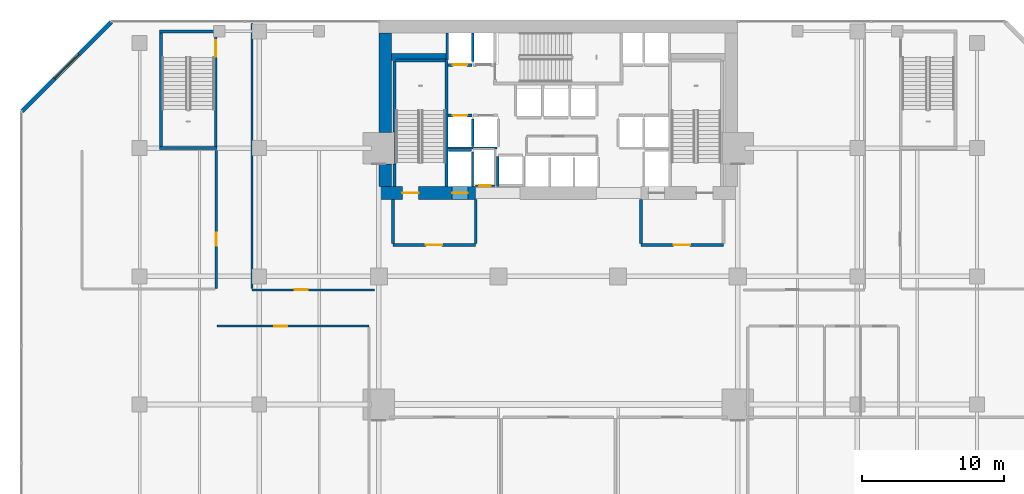
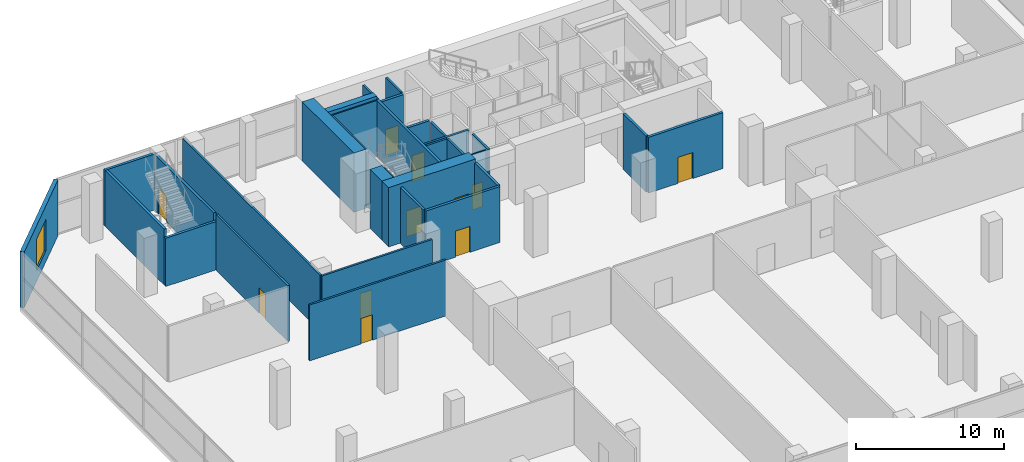
# One storey, part 35 of 39: 33 walls, 11 doors, 1 window, 12 openings.
"""IFC4 building model written with IfcOpenShell, lengths in metres."""

from ifc_helpers import new_model, si_unit, direction, frame, frame_2d, origin, place, context, subcontext, project, spatial, rectangle, extrude, material, layer, layer_set, type_object, element, fill, save


model = new_model("IFC4")

# Units and contexts
model_context = context("Model", 3, precision=1e-05, world=origin(), true_north=direction((0.0, 1.0)))
body_context = subcontext(model_context, "Body", "Model", "MODEL_VIEW")
ifc_project = project(units=[si_unit("LENGTHUNIT", "METRE"), si_unit("AREAUNIT", "SQUARE_METRE"), si_unit("VOLUMEUNIT", "CUBIC_METRE"), si_unit("PLANEANGLEUNIT", "RADIAN"), si_unit("MASSUNIT", "GRAM", prefix="KILO")], contexts=[model_context])

# Site, building, storey
site_placement = place(None, origin())
site = spatial("IfcSite", under=ifc_project, at=site_placement, CompositionType="ELEMENT")
building_placement = place(site_placement, origin())
building = spatial("IfcBuilding", under=site, at=building_placement, Name="Maruvema Waterfront Hotel and Observation Tower", CompositionType="ELEMENT")
storey_placement = place(building_placement, frame((0.0, 0.0, 16.449951171875)))
storey = spatial("IfcBuildingStorey", under=building, at=storey_placement, Name="L03", CompositionType="ELEMENT", Elevation=16.449951171875)

# Wall, opening, door
ifc_material_1 = material(Name="Twin-stud acoustic gypsum drywall", Category="gypsum")
ifc_layer_1 = layer(ifc_material_1, 0.14990234375, Name="Acoustic Corridor and Suite Demising Wall 150 mm")
ifc_layer_set_1 = layer_set([ifc_layer_1], Name="Twin-stud acoustic gypsum drywall")
wall_type_1 = type_object("IfcWallType", Name="Acoustic Corridor and Suite Demising Wall 150 mm", PredefinedType="PARTITIONING", material=ifc_layer_set_1)
wall_1_placement = place(storey_placement, frame((13.85009765625, 32.5, 0.0), z_axis=(0.0, 0.0, 1.0), x_axis=(1.0, 0.0, 0.0)))
wall_1 = element("IfcWall", 1, at=wall_1_placement, inside=storey, type_object=wall_type_1, Name="L03 L03 Boardroom North Wall 019", PredefinedType="PARTITIONING", context=body_context, shape_type="SweptSolid", body=[
    extrude(rectangle(XDim=10.64990234375, YDim=0.14990234375, at=frame_2d((5.324951171875, 0.0))), origin(), (0.0, 0.0, 1.0), 4.6201171875),
])
opening_1_placement = place(wall_1_placement, frame((4.0, 0.0, 0.0)))
opening_1 = element("IfcOpeningElement", 2, at=opening_1_placement, cuts=wall_1, Name="Opening DR-090", PredefinedType="OPENING", context=body_context, shape_type="SweptSolid", body=[
    extrude(rectangle(XDim=0.89990234375, YDim=2.10009765625, at=frame_2d((0.449951171875, 1.050048828125))), frame((0.0, 0.0849609375, 0.0), z_axis=(0.0, -1.0, 0.0), x_axis=(1.0, 0.0, 0.0)), (0.0, 0.0, 1.0), 0.169921875),
])
ifc_material_2 = material(Name="Solid-core lacquered timber leaf", Category="wood")
door_type_1 = type_object("IfcDoorType", Name="Accessible Toilet and Room Door 900x2100 mm", OperationType="NOTDEFINED", PredefinedType="DOOR", material=ifc_material_2)
door_1_placement = place(opening_1_placement, origin())
door_1 = element("IfcDoor", 3, at=door_1_placement, inside=storey, type_object=door_type_1, Name="L03 Boardroom Door", OperationType="SINGLE_SWING_RIGHT", OverallHeight=2.10009765625, OverallWidth=0.89990234375, PredefinedType="DOOR", context=body_context, shape_type="SweptSolid", body=[
    extrude(rectangle(XDim=0.89990234375, YDim=2.10009765625, at=frame_2d((0.449951171875, 1.050048828125))), frame((0.0, 0.02490234375, 0.0), z_axis=(0.0, -1.0, 0.0), x_axis=(1.0, 0.0, 0.0)), (0.0, 0.0, 1.0), 0.050048828125),
])
fill(opening_1, door_1)

wall_2_placement = place(storey_placement, frame((16.300048828125, 35.050048828125, 0.0), z_axis=(0.0, 0.0, 1.0), x_axis=(1.0, 0.0, 0.0)))
wall_2 = element("IfcWall", 4, at=wall_2_placement, inside=storey, type_object=wall_type_1, Name="L03 L03 Exec Office Wall 022", PredefinedType="PARTITIONING", context=body_context, shape_type="SweptSolid", body=[
    extrude(rectangle(XDim=8.599853515625, YDim=0.14990234375, at=frame_2d((4.2998046875, 0.0))), origin(), (0.0, 0.0, 1.0), 4.6201171875),
])
opening_2_placement = place(wall_2_placement, frame((3.0, 0.0, 0.0)))
opening_2 = element("IfcOpeningElement", 5, at=opening_2_placement, cuts=wall_2, Name="Opening DR-090", PredefinedType="OPENING", context=body_context, shape_type="SweptSolid", body=[
    extrude(rectangle(XDim=0.89990234375, YDim=2.10009765625, at=frame_2d((0.449951171875, 1.050048828125))), frame((0.0, 0.0849609375, 0.0), z_axis=(0.0, -1.0, 0.0), x_axis=(1.0, 0.0, 0.0)), (0.0, 0.0, 1.0), 0.169921875),
])
door_2_placement = place(opening_2_placement, frame((0.89990234375, 0.0, 0.0), z_axis=(0.0, 0.0, 1.0), x_axis=(-1.0, 0.0, 0.0)))
door_2 = element("IfcDoor", 6, at=door_2_placement, inside=storey, type_object=door_type_1, Name="L03 Executive Office Door", OperationType="SINGLE_SWING_LEFT", OverallHeight=2.10009765625, OverallWidth=0.89990234375, PredefinedType="DOOR", context=body_context, shape_type="SweptSolid", body=[
    extrude(rectangle(XDim=0.89990234375, YDim=2.10009765625, at=frame_2d((0.449951171875, 1.050048828125))), frame((0.0, 0.02490234375, 0.0), z_axis=(0.0, -1.0, 0.0), x_axis=(1.0, 0.0, 0.0)), (0.0, 0.0, 1.0), 0.050048828125),
])
fill(opening_2, door_2)

# Wall
wall_3_placement = place(storey_placement, frame((16.300048828125, 35.14990234375, 0.0), z_axis=(0.0, 0.0, 1.0), x_axis=(0.0, 1.0, 0.0)))
element("IfcWall", 7, at=wall_3_placement, inside=storey, type_object=wall_type_1, Name="L03 L03 Exec West Wall 023", PredefinedType="PARTITIONING", context=body_context, shape_type="SweptSolid", body=[
    extrude(rectangle(XDim=18.60009765625, YDim=0.14990234375, at=frame_2d((9.300048828125, 0.0))), origin(), (0.0, 0.0, 1.0), 4.6201171875),
])

# Wall, opening, door
wall_4_placement = place(storey_placement, frame((13.780029296875, 35.14990234375, 0.0), z_axis=(0.0, 0.0, 1.0), x_axis=(0.0, 1.0, 0.0)))
wall_4 = element("IfcWall", 8, at=wall_4_placement, inside=storey, type_object=wall_type_1, Name="L03 L03 Catering Store Wall 024", PredefinedType="PARTITIONING", context=body_context, shape_type="SweptSolid", body=[
    extrude(rectangle(XDim=9.7001953125, YDim=0.14990234375, at=frame_2d((4.85009765625, 0.0))), origin(), (0.0, 0.0, 1.0), 4.6201171875),
])
opening_3_placement = place(wall_4_placement, frame((3.0, 0.0, 0.0)))
opening_3 = element("IfcOpeningElement", 9, at=opening_3_placement, cuts=wall_4, Name="Opening DR-090", PredefinedType="OPENING", context=body_context, shape_type="SweptSolid", body=[
    extrude(rectangle(XDim=0.89990234375, YDim=2.10009765625, at=frame_2d((0.449951171875, 1.050048828125))), frame((0.0, 0.0849609375, 0.0), z_axis=(0.0, -1.0, 0.0), x_axis=(1.0, 0.0, 0.0)), (0.0, 0.0, 1.0), 0.169921875),
])
door_3_placement = place(opening_3_placement, origin())
door_3 = element("IfcDoor", 10, at=door_3_placement, inside=storey, type_object=door_type_1, Name="L03 Catering Store Door", OperationType="SINGLE_SWING_RIGHT", OverallHeight=2.10009765625, OverallWidth=0.89990234375, PredefinedType="DOOR", context=body_context, shape_type="SweptSolid", body=[
    extrude(rectangle(XDim=0.89990234375, YDim=2.10009765625, at=frame_2d((0.449951171875, 1.050048828125))), frame((0.0, 0.02490234375, 0.0), z_axis=(0.0, -1.0, 0.0), x_axis=(1.0, 0.0, 0.0)), (0.0, 0.0, 1.0), 0.050048828125),
])
fill(opening_3, door_3)

# Walls
ifc_material_3 = material(Name="Precast concrete C45/55", Category="concrete")
ifc_layer_2 = layer(ifc_material_3, 0.199951171875, Name="Core Shaft and Stairwell Enclosure Wall 200 mm")
ifc_layer_set_2 = layer_set([ifc_layer_2], Name="Precast concrete C45/55")
wall_type_2 = type_object("IfcWallType", Name="Core Shaft and Stairwell Enclosure Wall 200 mm", PredefinedType="SOLIDWALL", material=ifc_layer_set_2)
wall_5_placement = place(storey_placement, frame((29.949951171875, 42.300048828125, 0.0), z_axis=(0.0, 0.0, 1.0), x_axis=(0.0, 1.0, 0.0)))
element("IfcWall", 11, at=wall_5_placement, inside=storey, type_object=wall_type_2, Name="L03 Stairwell ST-01 East Shaft Wall", PredefinedType="SOLIDWALL", context=body_context, shape_type="SweptSolid", body=[
    extrude(rectangle(XDim=8.849853515625, YDim=0.199951171875, at=frame_2d((4.4248046875, 0.0))), origin(), (0.0, 0.0, 1.0), 4.6201171875),
])
wall_6_placement = place(storey_placement, frame((26.300048828125, 42.300048828125, 0.0), z_axis=(0.0, 0.0, 1.0), x_axis=(0.0, 1.0, 0.0)))
element("IfcWall", 12, at=wall_6_placement, inside=storey, type_object=wall_type_2, Name="L03 Stairwell ST-01 Shaft Lining Wall", PredefinedType="SOLIDWALL", context=body_context, shape_type="SweptSolid", body=[
    extrude(rectangle(XDim=1.579833984375, YDim=0.199951171875, at=frame_2d((0.7900390625, 0.0))), origin(), (0.0, 0.0, 1.0), 4.6201171875),
])
wall_7_placement = place(storey_placement, frame((26.300048828125, 46.1201171875, 0.0), z_axis=(0.0, 0.0, 1.0), x_axis=(0.0, 1.0, 0.0)))
element("IfcWall", 13, at=wall_7_placement, inside=storey, type_object=wall_type_2, Name="L03 Stairwell ST-01 Shaft Lining Wall", PredefinedType="SOLIDWALL", context=body_context, shape_type="SweptSolid", body=[
    extrude(rectangle(XDim=5.0, YDim=0.199951171875, at=frame_2d((2.5, 0.0))), origin(), (0.0, 0.0, 1.0), 4.6201171875),
])
wall_8_placement = place(storey_placement, frame((26.3798828125, 51.14990234375, 0.0), z_axis=(0.0, 0.0, 1.0), x_axis=(1.0, 0.0, 0.0)))
element("IfcWall", 14, at=wall_8_placement, inside=storey, type_object=wall_type_2, Name="L03 Stairwell ST-01 Shaft Lining Wall", PredefinedType="SOLIDWALL", context=body_context, shape_type="SweptSolid", body=[
    extrude(rectangle(XDim=3.5, YDim=0.199951171875, at=frame_2d((1.75, 0.0))), origin(), (0.0, 0.0, 1.0), 4.6201171875),
])
wall_9_placement = place(storey_placement, frame((9.800048828125, 45.0, 0.0), z_axis=(0.0, 0.0, 1.0), x_axis=(1.0, 0.0, 0.0)))
element("IfcWall", 15, at=wall_9_placement, inside=storey, type_object=wall_type_2, Name="L03 Stairwell ST-04 Shaft Wall", PredefinedType="SOLIDWALL", context=body_context, shape_type="SweptSolid", body=[
    extrude(rectangle(XDim=4.050048828125, YDim=0.199951171875, at=frame_2d((2.02490234375, 0.0))), origin(), (0.0, 0.0, 1.0), 3.985107421875),
])
wall_10_placement = place(storey_placement, frame((9.89990234375, 45.10009765625, 0.0), z_axis=(0.0, 0.0, 1.0), x_axis=(0.0, 1.0, 0.0)))
element("IfcWall", 16, at=wall_10_placement, inside=storey, type_object=wall_type_2, Name="L03 Stairwell ST-04 Shaft Wall", PredefinedType="SOLIDWALL", context=body_context, shape_type="SweptSolid", body=[
    extrude(rectangle(XDim=8.099853515625, YDim=0.199951171875, at=frame_2d((4.0498046875, 0.0))), origin(), (0.0, 0.0, 1.0), 4.6201171875),
])

# Wall, opening, door
wall_11_placement = place(storey_placement, frame((13.75, 45.10009765625, 0.0), z_axis=(0.0, 0.0, 1.0), x_axis=(0.0, 1.0, 0.0)))
wall_11 = element("IfcWall", 17, at=wall_11_placement, inside=storey, type_object=wall_type_2, Name="L03 Stairwell ST-04 Shaft Wall", PredefinedType="SOLIDWALL", context=body_context, shape_type="SweptSolid", body=[
    extrude(rectangle(XDim=8.099853515625, YDim=0.199951171875, at=frame_2d((4.0498046875, 0.0))), origin(), (0.0, 0.0, 1.0), 4.6201171875),
])
opening_4_placement = place(wall_11_placement, frame((6.320068359375, 0.0, 0.0)))
opening_4 = element("IfcOpeningElement", 18, at=opening_4_placement, cuts=wall_11, Name="Opening SD-01", PredefinedType="OPENING", context=body_context, shape_type="SweptSolid", body=[
    extrude(rectangle(XDim=1.14990234375, YDim=2.14990234375, at=frame_2d((0.574951171875, 1.074951171875))), frame((0.0, 0.10986328125, 0.0), z_axis=(0.0, -1.0, 0.0), x_axis=(1.0, 0.0, 0.0)), (0.0, 0.0, 1.0), 0.219970703125),
])
ifc_material_4 = material(Name="Fire-rated galvanised steel leaf", Category="steel")
door_type_2 = type_object("IfcDoorType", Name="Exit Stair Fire Door 1150x2150 mm", OperationType="NOTDEFINED", PredefinedType="DOOR", material=ifc_material_4)
door_4_placement = place(opening_4_placement, origin())
door_4 = element("IfcDoor", 19, at=door_4_placement, inside=storey, type_object=door_type_2, Name="L03 Exit Stair ST-04 Fire Door", OperationType="SINGLE_SWING_RIGHT", OverallHeight=2.14990234375, OverallWidth=1.14990234375, PredefinedType="DOOR", context=body_context, shape_type="SweptSolid", body=[
    extrude(rectangle(XDim=1.14990234375, YDim=2.14990234375, at=frame_2d((0.574951171875, 1.074951171875))), frame((0.0, 0.02490234375, 0.0), z_axis=(0.0, -1.0, 0.0), x_axis=(1.0, 0.0, 0.0)), (0.0, 0.0, 1.0), 0.050048828125),
])
fill(opening_4, door_4)

# Wall
wall_12_placement = place(storey_placement, frame((9.800048828125, 53.199951171875, 0.0), z_axis=(0.0, 0.0, 1.0), x_axis=(1.0, 0.0, 0.0)))
element("IfcWall", 20, at=wall_12_placement, inside=storey, type_object=wall_type_2, Name="L03 Stairwell ST-04 Shaft Wall", PredefinedType="SOLIDWALL", context=body_context, shape_type="SweptSolid", body=[
    extrude(rectangle(XDim=4.050048828125, YDim=0.199951171875, at=frame_2d((2.02490234375, 0.0))), origin(), (0.0, 0.0, 1.0), 4.6201171875),
])

# Wall, opening, door
wall_13_placement = place(storey_placement, frame((30.06005859375, 47.300048828125, 0.0), z_axis=(0.0, 0.0, 1.0), x_axis=(1.0, 0.0, 0.0)))
wall_13 = element("IfcWall", 21, at=wall_13_placement, inside=storey, type_object=wall_type_2, Name="L03 Lift LF-01 Hoistway Front Wall", PredefinedType="SOLIDWALL", context=body_context, shape_type="SweptSolid", body=[
    extrude(rectangle(XDim=1.679931640625, YDim=0.199951171875, at=frame_2d((0.83984375, 0.0))), origin(), (0.0, 0.0, 1.0), 4.6201171875),
])
opening_5_placement = place(wall_13_placement, frame((0.340087890625, 0.0, 0.0)))
opening_5 = element("IfcOpeningElement", 22, at=opening_5_placement, cuts=wall_13, Name="Opening LD-01", PredefinedType="OPENING", context=body_context, shape_type="SweptSolid", body=[
    extrude(rectangle(XDim=1.0, YDim=2.14990234375, at=frame_2d((0.5, 1.074951171875))), frame((0.0, 0.10986328125, 0.0), z_axis=(0.0, -1.0, 0.0), x_axis=(1.0, 0.0, 0.0)), (0.0, 0.0, 1.0), 0.219970703125),
])
ifc_material_5 = material(Name="Brushed stainless steel Grade 316", Category="steel")
door_type_3 = type_object("IfcDoorType", Name="Passenger Lift Sliding Landing Door 1000x2150 mm", OperationType="SLIDING_TO_LEFT", PredefinedType="DOOR", material=ifc_material_5)
door_5_placement = place(opening_5_placement, origin())
door_5 = element("IfcDoor", 23, at=door_5_placement, inside=storey, type_object=door_type_3, Name="L03 Lift LF-01 Sliding Landing Door", OperationType="SLIDING_TO_LEFT", OverallHeight=2.14990234375, OverallWidth=1.0, PredefinedType="DOOR", context=body_context, shape_type="SweptSolid", body=[
    extrude(rectangle(XDim=1.0, YDim=2.14990234375, at=frame_2d((0.5, 1.074951171875))), frame((0.0, 0.02490234375, 0.0), z_axis=(0.0, -1.0, 0.0), x_axis=(1.0, 0.0, 0.0)), (0.0, 0.0, 1.0), 0.050048828125),
])
fill(opening_5, door_5)

wall_14_placement = place(storey_placement, frame((30.06005859375, 50.85009765625, 0.0), z_axis=(0.0, 0.0, 1.0), x_axis=(1.0, 0.0, 0.0)))
wall_14 = element("IfcWall", 24, at=wall_14_placement, inside=storey, type_object=wall_type_2, Name="L03 Lift LF-03 Hoistway Front Wall", PredefinedType="SOLIDWALL", context=body_context, shape_type="SweptSolid", body=[
    extrude(rectangle(XDim=1.679931640625, YDim=0.199951171875, at=frame_2d((0.83984375, 0.0))), origin(), (0.0, 0.0, 1.0), 4.6201171875),
])
opening_6_placement = place(wall_14_placement, frame((0.340087890625, 0.0, 0.0)))
opening_6 = element("IfcOpeningElement", 25, at=opening_6_placement, cuts=wall_14, Name="Opening LD-01", PredefinedType="OPENING", context=body_context, shape_type="SweptSolid", body=[
    extrude(rectangle(XDim=1.0, YDim=2.14990234375, at=frame_2d((0.5, 1.074951171875))), frame((0.0, 0.10986328125, 0.0), z_axis=(0.0, -1.0, 0.0), x_axis=(1.0, 0.0, 0.0)), (0.0, 0.0, 1.0), 0.219970703125),
])
door_6_placement = place(opening_6_placement, frame((1.0, 0.0, 0.0), z_axis=(0.0, 0.0, 1.0), x_axis=(-1.0, 0.0, 0.0)))
door_6 = element("IfcDoor", 26, at=door_6_placement, inside=storey, type_object=door_type_3, Name="L03 Lift LF-03 Sliding Landing Door", OperationType="SLIDING_TO_LEFT", OverallHeight=2.14990234375, OverallWidth=1.0, PredefinedType="DOOR", context=body_context, shape_type="SweptSolid", body=[
    extrude(rectangle(XDim=1.0, YDim=2.14990234375, at=frame_2d((0.5, 1.074951171875))), frame((0.0, 0.02490234375, 0.0), z_axis=(0.0, -1.0, 0.0), x_axis=(1.0, 0.0, 0.0)), (0.0, 0.0, 1.0), 0.050048828125),
])
fill(opening_6, door_6)

# Wall
ifc_material_6 = material(Name="Concrete C70/85", Category="concrete")
ifc_layer_3 = layer(ifc_material_6, 0.5, Name="Core Shear Wall 500 mm")
ifc_layer_set_3 = layer_set([ifc_layer_3], Name="Concrete C70/85")
wall_type_3 = type_object("IfcWallType", Name="Core Shear Wall 500 mm", PredefinedType="SHEAR", material=ifc_layer_set_3)
wall_15_placement = place(storey_placement, frame((26.10009765625, 51.39990234375, 0.0), z_axis=(0.0, 0.0, 1.0), x_axis=(1.0, 0.0, 0.0)))
element("IfcWall", 27, at=wall_15_placement, inside=storey, type_object=wall_type_3, Name="L03 Internal Core Shear Wall NW 500 mm", PredefinedType="SHEAR", context=body_context, shape_type="SweptSolid", body=[
    extrude(rectangle(XDim=3.7998046875, YDim=0.5, at=frame_2d((1.89990234375, 0.0))), origin(), (0.0, 0.0, 1.0), 4.900146484375),
])

# Wall, openings, doors
ifc_material_7 = material(Name="Concrete C80/95", Category="concrete")
ifc_layer_4 = layer(ifc_material_7, 0.89990234375, Name="Core Shear Wall 900 mm")
ifc_layer_set_4 = layer_set([ifc_layer_4], Name="Concrete C80/95")
wall_type_4 = type_object("IfcWallType", Name="Core Shear Wall 900 mm", PredefinedType="SHEAR", material=ifc_layer_set_4)
wall_16_placement = place(storey_placement, frame((25.199951171875, 41.85009765625, 0.0), z_axis=(0.0, 0.0, 1.0), x_axis=(1.0, 0.0, 0.0)))
wall_16 = element("IfcWall", 28, at=wall_16_placement, inside=storey, type_object=wall_type_4, Name="L03 South-West Core Shear Wall", PredefinedType="SHEAR", context=body_context, shape_type="SweptSolid", body=[
    extrude(rectangle(XDim=6.800048828125, YDim=0.89990234375, at=frame_2d((3.39990234375, 0.0))), origin(), (0.0, 0.0, 1.0), 4.900146484375),
])
opening_7_placement = place(wall_16_placement, frame((1.64990234375, 0.0, 0.0)))
opening_7 = element("IfcOpeningElement", 29, at=opening_7_placement, cuts=wall_16, Name="Opening SD-01", PredefinedType="OPENING", context=body_context, shape_type="SweptSolid", body=[
    extrude(rectangle(XDim=1.14990234375, YDim=2.14990234375, at=frame_2d((0.574951171875, 1.074951171875))), frame((0.0, 0.4599609375, 0.0), z_axis=(0.0, -1.0, 0.0), x_axis=(1.0, 0.0, 0.0)), (0.0, 0.0, 1.0), 0.919921875),
])
opening_8_placement = place(wall_16_placement, frame((5.14990234375, 0.0, 0.0)))
opening_8 = element("IfcOpeningElement", 30, at=opening_8_placement, cuts=wall_16, Name="Opening LD-03", PredefinedType="OPENING", context=body_context, shape_type="SweptSolid", body=[
    extrude(rectangle(XDim=1.10009765625, YDim=2.199951171875, at=frame_2d((0.550048828125, 1.10009765625))), frame((0.0, 0.4599609375, 0.0), z_axis=(0.0, -1.0, 0.0), x_axis=(1.0, 0.0, 0.0)), (0.0, 0.0, 1.0), 0.919921875),
])
door_7_placement = place(opening_7_placement, origin())
door_7 = element("IfcDoor", 31, at=door_7_placement, inside=storey, type_object=door_type_2, Name="L03 Exit Stair ST-01 Fire Door", OperationType="SINGLE_SWING_LEFT", OverallHeight=2.14990234375, OverallWidth=1.14990234375, PredefinedType="DOOR", context=body_context, shape_type="SweptSolid", body=[
    extrude(rectangle(XDim=1.14990234375, YDim=2.14990234375, at=frame_2d((0.574951171875, 1.074951171875))), frame((0.0, 0.02490234375, 0.0), z_axis=(0.0, -1.0, 0.0), x_axis=(1.0, 0.0, 0.0)), (0.0, 0.0, 1.0), 0.050048828125),
])
fill(opening_7, door_7)
ifc_material_8 = material(Name="Brushed stainless steel Grade 316", Category="steel")
door_type_4 = type_object("IfcDoorType", Name="Firefighting Lift Sliding Landing Door 1100x2200 mm", OperationType="SLIDING_TO_LEFT", PredefinedType="DOOR", material=ifc_material_8)
door_8_placement = place(opening_8_placement, frame((1.10009765625, 0.0, 0.0), z_axis=(0.0, 0.0, 1.0), x_axis=(-1.0, 0.0, 0.0)))
door_8 = element("IfcDoor", 32, at=door_8_placement, inside=storey, type_object=door_type_4, Name="L03 Firefighting Lift FL-01 Landing Door", OperationType="SLIDING_TO_LEFT", OverallHeight=2.199951171875, OverallWidth=1.10009765625, PredefinedType="DOOR", context=body_context, shape_type="SweptSolid", body=[
    extrude(rectangle(XDim=1.10009765625, YDim=2.199951171875, at=frame_2d((0.550048828125, 1.10009765625))), frame((0.0, 0.02490234375, 0.0), z_axis=(0.0, -1.0, 0.0), x_axis=(1.0, 0.0, 0.0)), (0.0, 0.0, 1.0), 0.050048828125),
])
fill(opening_8, door_8)

# Walls
wall_17_placement = place(storey_placement, frame((25.64990234375, 42.300048828125, 0.0), z_axis=(0.0, 0.0, 1.0), x_axis=(0.0, 1.0, 0.0)))
element("IfcWall", 33, at=wall_17_placement, inside=storey, type_object=wall_type_4, Name="L03 West-South Core Shear Wall", PredefinedType="SHEAR", context=body_context, shape_type="SweptSolid", body=[
    extrude(rectangle(XDim=1.599853515625, YDim=0.89990234375, at=frame_2d((0.7998046875, 0.0))), origin(), (0.0, 0.0, 1.0), 4.900146484375),
])
wall_18_placement = place(storey_placement, frame((25.64990234375, 46.10009765625, 0.0), z_axis=(0.0, 0.0, 1.0), x_axis=(0.0, 1.0, 0.0)))
element("IfcWall", 34, at=wall_18_placement, inside=storey, type_object=wall_type_4, Name="L03 West-North Core Shear Wall", PredefinedType="SHEAR", context=body_context, shape_type="SweptSolid", body=[
    extrude(rectangle(XDim=7.0, YDim=0.89990234375, at=frame_2d((3.5, 0.0))), origin(), (0.0, 0.0, 1.0), 4.900146484375),
])

# Wall, opening, door
ifc_material_9 = material(Name="Moisture-resistant cement-board drywall", Category="gypsum")
ifc_layer_5 = layer(ifc_material_9, 0.10009765625, Name="En-Suite Moisture-Resistant Partition 100 mm")
ifc_layer_set_5 = layer_set([ifc_layer_5], Name="Moisture-resistant cement-board drywall")
wall_type_5 = type_object("IfcWallType", Name="En-Suite Moisture-Resistant Partition 100 mm", PredefinedType="PARTITIONING", material=ifc_layer_set_5)
wall_19_placement = place(storey_placement, frame((32.02001953125, 42.360107421875, 0.0), z_axis=(0.0, 0.0, 1.0), x_axis=(1.0, 0.0, 0.0)))
wall_19 = element("IfcWall", 35, at=wall_19_placement, inside=storey, type_object=wall_type_5, Name="L03 Telecom Riser South Wall 007", PredefinedType="PARTITIONING", context=body_context, shape_type="SweptSolid", body=[
    extrude(rectangle(XDim=1.320068359375, YDim=0.10009765625, at=frame_2d((0.66015625, 0.0))), origin(), (0.0, 0.0, 1.0), 4.6201171875),
])
opening_9_placement = place(wall_19_placement, frame((0.239990234375, 0.0, 0.0)))
opening_9 = element("IfcOpeningElement", 36, at=opening_9_placement, cuts=wall_19, Name="Opening DR-080", PredefinedType="OPENING", context=body_context, shape_type="SweptSolid", body=[
    extrude(rectangle(XDim=0.800048828125, YDim=2.050048828125, at=frame_2d((0.39990234375, 1.02490234375))), frame((0.0, 0.06005859375, 0.0), z_axis=(0.0, -1.0, 0.0), x_axis=(1.0, 0.0, 0.0)), (0.0, 0.0, 1.0), 0.1201171875),
])
ifc_material_10 = material(Name="Powder-coated steel access leaf", Category="steel")
door_type_5 = type_object("IfcDoorType", Name="Riser and Service Cupboard Door 800x2050 mm", OperationType="NOTDEFINED", PredefinedType="DOOR", material=ifc_material_10)
door_9_placement = place(opening_9_placement, frame((0.800048828125, 0.0, 0.0), z_axis=(0.0, 0.0, 1.0), x_axis=(-1.0, 0.0, 0.0)))
door_9 = element("IfcDoor", 37, at=door_9_placement, inside=storey, type_object=door_type_5, Name="L03 Telecom Riser Door", OperationType="SINGLE_SWING_RIGHT", OverallHeight=2.050048828125, OverallWidth=0.800048828125, PredefinedType="DOOR", context=body_context, shape_type="SweptSolid", body=[
    extrude(rectangle(XDim=0.800048828125, YDim=2.050048828125, at=frame_2d((0.39990234375, 1.02490234375))), frame((0.0, 0.02490234375, 0.0), z_axis=(0.0, -1.0, 0.0), x_axis=(1.0, 0.0, 0.0)), (0.0, 0.0, 1.0), 0.050048828125),
])
fill(opening_9, door_9)

ifc_material_11 = material(Name="Autoclaved cellular concrete blockwork", Category="masonry")
ifc_layer_6 = layer(ifc_material_11, 0.199951171875, Name="Fire Compartment Masonry Wall 200 mm")
ifc_layer_set_6 = layer_set([ifc_layer_6], Name="Autoclaved cellular concrete blockwork")
wall_type_6 = type_object("IfcWallType", Name="Fire Compartment Masonry Wall 200 mm", PredefinedType="PARTITIONING", material=ifc_layer_set_6)
wall_20_placement = place(storey_placement, frame((26.199951171875, 38.199951171875, 0.0), z_axis=(0.0, 0.0, 1.0), x_axis=(1.0, 0.0, 0.0)))
wall_20 = element("IfcWall", 38, at=wall_20_placement, inside=storey, type_object=wall_type_6, Name="L03 FFL West South Wall 001", PredefinedType="PARTITIONING", context=body_context, shape_type="SweptSolid", body=[
    extrude(rectangle(XDim=5.800048828125, YDim=0.199951171875, at=frame_2d((2.89990234375, 0.0))), origin(), (0.0, 0.0, 1.0), 4.6201171875),
])
opening_10_placement = place(wall_20_placement, frame((2.300048828125, 0.0, 0.0)))
opening_10 = element("IfcOpeningElement", 39, at=opening_10_placement, cuts=wall_20, Name="Opening FD-115", PredefinedType="OPENING", context=body_context, shape_type="SweptSolid", body=[
    extrude(rectangle(XDim=1.14990234375, YDim=2.14990234375, at=frame_2d((0.574951171875, 1.074951171875))), frame((0.0, 0.10986328125, 0.0), z_axis=(0.0, -1.0, 0.0), x_axis=(1.0, 0.0, 0.0)), (0.0, 0.0, 1.0), 0.219970703125),
])
ifc_material_12 = material(Name="Fire-rated galvanised steel and vision glass", Category="steel")
door_type_6 = type_object("IfcDoorType", Name="Firefighting Lobby Fire Door 1150x2150 mm", OperationType="NOTDEFINED", PredefinedType="DOOR", material=ifc_material_12)
door_10_placement = place(opening_10_placement, frame((1.14990234375, 0.0, 0.0), z_axis=(0.0, 0.0, 1.0), x_axis=(-1.0, 0.0, 0.0)))
door_10 = element("IfcDoor", 40, at=door_10_placement, inside=storey, type_object=door_type_6, Name="L03 Firefighting Lobby West Door", OperationType="SINGLE_SWING_RIGHT", OverallHeight=2.14990234375, OverallWidth=1.14990234375, PredefinedType="DOOR", context=body_context, shape_type="SweptSolid", body=[
    extrude(rectangle(XDim=1.14990234375, YDim=2.14990234375, at=frame_2d((0.574951171875, 1.074951171875))), frame((0.0, 0.02490234375, 0.0), z_axis=(0.0, -1.0, 0.0), x_axis=(1.0, 0.0, 0.0)), (0.0, 0.0, 1.0), 0.050048828125),
])
fill(opening_10, door_10)

# Walls
for number, where, z_axis, x_axis, name in (
    (41, (26.199951171875, 38.31005859375, 0.0), (0.0, 0.0, 1.0), (0.0, 1.0, 0.0), "L03 FFL West West Wall 002"),
    (42, (32.0, 38.31005859375, 0.0), (0.0, 0.0, 1.0), (0.0, 1.0, 0.0), "L03 FFL West East Wall 003"),
):
    element("IfcWall", number, at=place(storey_placement, frame(where, z_axis=z_axis, x_axis=x_axis)), inside=storey, type_object=wall_type_6, Name=name, PredefinedType="PARTITIONING", context=body_context, shape_type="SweptSolid", body=[
        extrude(rectangle(XDim=3.06982421875, YDim=0.199951171875, at=frame_2d((1.534912109375, 0.0))), origin(), (0.0, 0.0, 1.0), 4.6201171875),
    ])

# Wall, opening, door
wall_21_placement = place(storey_placement, frame((43.60009765625, 38.199951171875, 0.0), z_axis=(0.0, 0.0, 1.0), x_axis=(1.0, 0.0, 0.0)))
wall_21 = element("IfcWall", 43, at=wall_21_placement, inside=storey, type_object=wall_type_6, Name="L03 FFL East South Wall 004", PredefinedType="PARTITIONING", context=body_context, shape_type="SweptSolid", body=[
    extrude(rectangle(XDim=5.7998046875, YDim=0.199951171875, at=frame_2d((2.89990234375, 0.0))), origin(), (0.0, 0.0, 1.0), 4.6201171875),
])
opening_11_placement = place(wall_21_placement, frame((2.300048828125, 0.0, 0.0)))
opening_11 = element("IfcOpeningElement", 44, at=opening_11_placement, cuts=wall_21, Name="Opening FD-115", PredefinedType="OPENING", context=body_context, shape_type="SweptSolid", body=[
    extrude(rectangle(XDim=1.14990234375, YDim=2.14990234375, at=frame_2d((0.574951171875, 1.074951171875))), frame((0.0, 0.10986328125, 0.0), z_axis=(0.0, -1.0, 0.0), x_axis=(1.0, 0.0, 0.0)), (0.0, 0.0, 1.0), 0.219970703125),
])
door_11_placement = place(opening_11_placement, frame((1.14990234375, 0.0, 0.0), z_axis=(0.0, 0.0, 1.0), x_axis=(-1.0, 0.0, 0.0)))
door_11 = element("IfcDoor", 45, at=door_11_placement, inside=storey, type_object=door_type_6, Name="L03 Firefighting Lobby East Door", OperationType="SINGLE_SWING_LEFT", OverallHeight=2.14990234375, OverallWidth=1.14990234375, PredefinedType="DOOR", context=body_context, shape_type="SweptSolid", body=[
    extrude(rectangle(XDim=1.14990234375, YDim=2.14990234375, at=frame_2d((0.574951171875, 1.074951171875))), frame((0.0, 0.02490234375, 0.0), z_axis=(0.0, -1.0, 0.0), x_axis=(1.0, 0.0, 0.0)), (0.0, 0.0, 1.0), 0.050048828125),
])
fill(opening_11, door_11)

# Walls
wall_22_placement = place(storey_placement, frame((43.60009765625, 38.31005859375, 0.0), z_axis=(0.0, 0.0, 1.0), x_axis=(0.0, 1.0, 0.0)))
element("IfcWall", 46, at=wall_22_placement, inside=storey, type_object=wall_type_6, Name="L03 FFL East West Wall 005", PredefinedType="PARTITIONING", context=body_context, shape_type="SweptSolid", body=[
    extrude(rectangle(XDim=3.06982421875, YDim=0.199951171875, at=frame_2d((1.534912109375, 0.0))), origin(), (0.0, 0.0, 1.0), 4.6201171875),
])
ifc_material_13 = material(Name="Precast concrete C45/55", Category="concrete")
ifc_layer_7 = layer(ifc_material_13, 0.159912109375, Name="Lift Hoistway Divider Wall 160 mm")
ifc_layer_set_7 = layer_set([ifc_layer_7], Name="Precast concrete C45/55")
wall_type_7 = type_object("IfcWallType", Name="Lift Hoistway Divider Wall 160 mm", PredefinedType="SOLIDWALL", material=ifc_layer_set_7)
wall_23_placement = place(storey_placement, frame((30.10009765625, 44.830078125, 0.0), z_axis=(0.0, 0.0, 1.0), x_axis=(1.0, 0.0, 0.0)))
element("IfcWall", 47, at=wall_23_placement, inside=storey, type_object=wall_type_7, Name="L03 Lift FL-01 Rear Hoistway Wall", PredefinedType="SOLIDWALL", context=body_context, shape_type="SweptSolid", body=[
    extrude(rectangle(XDim=1.599853515625, YDim=0.159912109375, at=frame_2d((0.7998046875, 0.0))), origin(), (0.0, 0.0, 1.0), 4.6201171875),
])
wall_24_placement = place(storey_placement, frame((31.780029296875, 42.300048828125, 0.0), z_axis=(0.0, 0.0, 1.0), x_axis=(0.0, 1.0, 0.0)))
element("IfcWall", 48, at=wall_24_placement, inside=storey, type_object=wall_type_7, Name="L03 Lift FL-01 Inner Hoistway Wall", PredefinedType="SOLIDWALL", context=body_context, shape_type="SweptSolid", body=[
    extrude(rectangle(XDim=2.43994140625, YDim=0.159912109375, at=frame_2d((1.219970703125, 0.0))), origin(), (0.0, 0.0, 1.0), 4.6201171875),
])
wall_25_placement = place(storey_placement, frame((31.800048828125, 45.10009765625, 0.0), z_axis=(0.0, 0.0, 1.0), x_axis=(0.0, 1.0, 0.0)))
element("IfcWall", 49, at=wall_25_placement, inside=storey, type_object=wall_type_7, Name="L03 Hoistway Divider Wall", PredefinedType="SOLIDWALL", context=body_context, shape_type="SweptSolid", body=[
    extrude(rectangle(XDim=1.949951171875, YDim=0.159912109375, at=frame_2d((0.97509765625, 0.0))), origin(), (0.0, 0.0, 1.0), 4.6201171875),
])
wall_26_placement = place(storey_placement, frame((30.050048828125, 45.010009765625, 0.0), z_axis=(0.0, 0.0, 1.0), x_axis=(1.0, 0.0, 0.0)))
element("IfcWall", 50, at=wall_26_placement, inside=storey, type_object=wall_type_7, Name="L03 Hoistway Divider Wall", PredefinedType="SOLIDWALL", context=body_context, shape_type="SweptSolid", body=[
    extrude(rectangle(XDim=3.449951171875, YDim=0.159912109375, at=frame_2d((1.72509765625, 0.0))), origin(), (0.0, 0.0, 1.0), 4.6201171875),
])
wall_27_placement = place(storey_placement, frame((30.010009765625, 51.179931640625, 0.0), z_axis=(0.0, 0.0, 1.0), x_axis=(0.0, 1.0, 0.0)))
element("IfcWall", 51, at=wall_27_placement, inside=storey, type_object=wall_type_7, Name="L03 Hoistway Divider Wall", PredefinedType="SOLIDWALL", context=body_context, shape_type="SweptSolid", body=[
    extrude(rectangle(XDim=1.920166015625, YDim=0.159912109375, at=frame_2d((0.9599609375, 0.0))), origin(), (0.0, 0.0, 1.0), 4.6201171875),
])
wall_28_placement = place(storey_placement, frame((31.800048828125, 51.10009765625, 0.0), z_axis=(0.0, 0.0, 1.0), x_axis=(0.0, 1.0, 0.0)))
element("IfcWall", 52, at=wall_28_placement, inside=storey, type_object=wall_type_7, Name="L03 Hoistway Divider Wall", PredefinedType="SOLIDWALL", context=body_context, shape_type="SweptSolid", body=[
    extrude(rectangle(XDim=2.0, YDim=0.159912109375, at=frame_2d((1.0, 0.0))), origin(), (0.0, 0.0, 1.0), 4.6201171875),
])
wall_29_placement = place(storey_placement, frame((33.5400390625, 42.300048828125, 0.0), z_axis=(0.0, 0.0, 1.0), x_axis=(0.0, 1.0, 0.0)))
element("IfcWall", 53, at=wall_29_placement, inside=storey, type_object=wall_type_7, Name="L03 Hoistway Divider Wall", PredefinedType="SOLIDWALL", context=body_context, shape_type="SweptSolid", body=[
    extrude(rectangle(XDim=2.099853515625, YDim=0.159912109375, at=frame_2d((1.0498046875, 0.0))), origin(), (0.0, 0.0, 1.0), 4.6201171875),
])

# Wall, opening, window
ifc_material_14 = material(Name="Precast concrete C45/55 with honed Pernambuco granite facing", Category="masonry")
ifc_layer_8 = layer(ifc_material_14, 0.300048828125, Name="Podium Waterfront Granite Colonnade Wall 300 mm")
ifc_layer_set_8 = layer_set([ifc_layer_8], Name="Precast concrete C45/55 with honed Pernambuco granite facing")
wall_type_8 = type_object("IfcWallType", Name="Podium Waterfront Granite Colonnade Wall 300 mm", PredefinedType="SOLIDWALL", material=ifc_layer_set_8)
wall_30_placement = place(storey_placement, frame((6.39990234375, 53.85009765625, 0.0), z_axis=(0.0, 0.0, 1.0), x_axis=(-0.707106781187, -0.707106781187, 0.0)))
wall_30 = element("IfcWall", 54, at=wall_30_placement, inside=storey, type_object=wall_type_8, Name="L03 Podium Chamfer Granite Pier Wall NW", PredefinedType="SOLIDWALL", context=body_context, shape_type="SweptSolid", body=[
    extrude(rectangle(XDim=8.8388671875, YDim=0.300048828125, at=frame_2d((4.41943359375, 0.0))), origin(), (0.0, 0.0, 1.0), 4.6201171875),
])
opening_12_placement = place(wall_30_placement, frame((3.199951171875, 0.0, 0.89990234375)))
opening_12 = element("IfcOpeningElement", 55, at=opening_12_placement, cuts=wall_30, Name="Opening WN-04", PredefinedType="OPENING", context=body_context, shape_type="SweptSolid", body=[
    extrude(rectangle(XDim=2.39990234375, YDim=2.60009765625, at=frame_2d((1.199951171875, 1.300048828125))), frame((0.0, 0.16015625, 0.0), z_axis=(0.0, -1.0, 0.0), x_axis=(1.0, 0.0, 0.0)), (0.0, 0.0, 1.0), 0.320068359375),
])
ifc_material_15 = material(Name="Anodised bronze aluminium frame with laminated low-E glass", Category="aluminium")
window_type = type_object("IfcWindowType", Name="Podium Waterfront Punched Window 2400x2600 mm", PartitioningType="SINGLE_PANEL", PredefinedType="WINDOW", material=ifc_material_15)
window_placement = place(opening_12_placement, origin())
window = element("IfcWindow", 56, at=window_placement, inside=storey, type_object=window_type, Name="L03 Podium Chamfer Feature Window NW", OverallHeight=2.60009765625, OverallWidth=2.39990234375, PartitioningType="SINGLE_PANEL", PredefinedType="WINDOW", context=body_context, shape_type="SweptSolid", body=[
    extrude(rectangle(XDim=2.39990234375, YDim=2.60009765625, at=frame_2d((1.199951171875, 1.300048828125))), frame((0.0, 0.030029296875, 0.0), z_axis=(0.0, -1.0, 0.0), x_axis=(1.0, 0.0, 0.0)), (0.0, 0.0, 1.0), 0.06005859375),
])
fill(opening_12, window)

# Wall
ifc_material_16 = material(Name="Precast concrete C45/55", Category="concrete")
ifc_layer_9 = layer(ifc_material_16, 0.10009765625, Name="Stairwell Stringer Cheek Wall 100 mm")
ifc_layer_set_9 = layer_set([ifc_layer_9], Name="Precast concrete C45/55")
wall_type_9 = type_object("IfcWallType", Name="Stairwell Stringer Cheek Wall 100 mm", PredefinedType="SOLIDWALL", material=ifc_layer_set_9)
wall_31_placement = place(storey_placement, frame((26.35205078125, 43.89990234375, 0.0), z_axis=(0.0, 0.0, 1.0), x_axis=(0.0, 1.0, 0.0)))
element("IfcWall", 57, at=wall_31_placement, inside=storey, type_object=wall_type_9, Name="L03 Stairwell ST-01 Mega-Column Cheek Wall", PredefinedType="SOLIDWALL", context=body_context, shape_type="SweptSolid", body=[
    extrude(rectangle(XDim=2.2001953125, YDim=0.10009765625, at=frame_2d((1.10009765625, 0.0))), origin(), (0.0, 0.0, 1.0), 4.6201171875),
])

save(model, "model.ifc")
